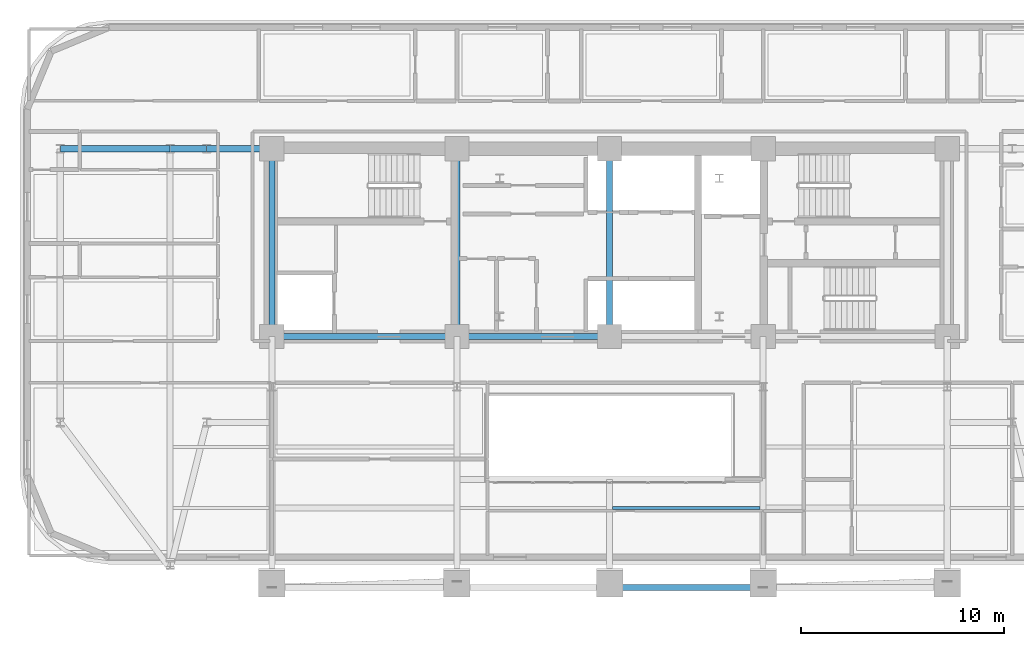
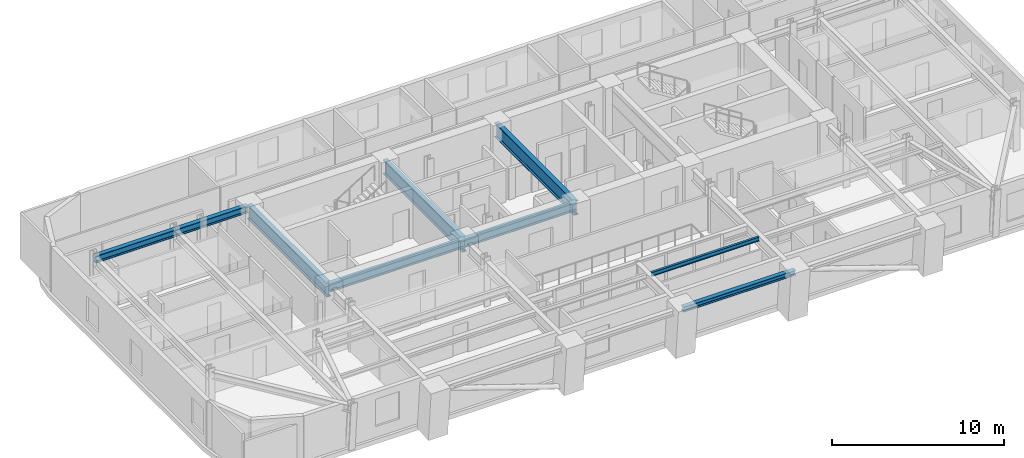
# One storey, part 3 of 15: 10 beams.
"""IFC4 building model written with IfcOpenShell, lengths in metres."""

from ifc_helpers import new_model, si_unit, direction, frame, origin, origin_2d, place, context, subcontext, project, spatial, i_section, extrude, material, material_profile, profile_set, type_object, element, save


model = new_model("IFC4")

# Units and contexts
model_context = context("Model", 3, precision=1e-05, world=origin(), true_north=direction((0.0, 1.0)))
body_context = subcontext(model_context, "Body", "Model", "MODEL_VIEW")
ifc_project = project(units=[si_unit("LENGTHUNIT", "METRE"), si_unit("AREAUNIT", "SQUARE_METRE"), si_unit("VOLUMEUNIT", "CUBIC_METRE"), si_unit("PLANEANGLEUNIT", "RADIAN"), si_unit("MASSUNIT", "GRAM", prefix="KILO")], contexts=[model_context])

# Site, building, storey
site_placement = place(None, origin())
site = spatial("IfcSite", under=ifc_project, at=site_placement, CompositionType="ELEMENT")
building_placement = place(site_placement, origin())
building = spatial("IfcBuilding", under=site, at=building_placement, Name="Zarnavel Station Tower", CompositionType="ELEMENT")
storey_placement = place(building_placement, frame((0.0, 0.0, 115.300048828125)))
storey = spatial("IfcBuildingStorey", under=building, at=storey_placement, Name="L31", CompositionType="ELEMENT", Elevation=115.300048828125)

# Beams
ifc_material_1 = material(Name="Steel S355J2", Category="steel")
ifc_material_profile_1 = material_profile(ifc_material_1, i_section(OverallWidth=0.300048828125, OverallDepth=0.360107421875, WebThickness=0.012451171875, FlangeThickness=0.0224609375, FilletRadius=0.027099609375, at=origin_2d()), Name="HEB360")
ifc_profile_set_1 = profile_set([ifc_material_profile_1], Name="Steel S355J2")
beam_type_1 = type_object("IfcBeamType", Name="EB_HEB360", PredefinedType="SPANDREL", material=ifc_profile_set_1)
beam_1_placement = place(storey_placement, frame((28.800048828125, 15.48583984375, 3.06005859375), z_axis=(1.0, 0.0, 0.0), x_axis=(0.0, 1.0, 0.0)))
element("IfcBeam", 1, at=beam_1_placement, inside=storey, type_object=beam_type_1, Name="L31 South Raked Spandrel 3", PredefinedType="SPANDREL", context=body_context, shape_type="SweptSolid", body=[
    extrude(i_section(OverallWidth=0.300048828125, OverallDepth=0.360107421875, WebThickness=0.012451171875, FlangeThickness=0.0224609375, FilletRadius=0.027099609375, at=origin_2d()), origin(), (0.0, 0.0, 1.0), 7.550048828125),
])
ifc_material_2 = material(Name="Steel S355J2", Category="steel")
ifc_material_profile_2 = material_profile(ifc_material_2, i_section(OverallWidth=0.300048828125, OverallDepth=0.5, WebThickness=0.014404296875, FlangeThickness=0.028076171875, FilletRadius=0.027099609375, at=origin_2d()), Name="HEB500")
ifc_profile_set_2 = profile_set([ifc_material_profile_2], Name="Steel S355J2")
beam_type_2 = type_object("IfcBeamType", Name="FG_HEB500", PredefinedType="USERDEFINED", material=ifc_profile_set_2)
beam_2_placement = place(storey_placement, frame((1.800048828125, 37.050048828125, 2.989990234375), z_axis=(1.0, 0.0, 0.0), x_axis=(0.0, 1.0, 0.0)))
element("IfcBeam", 2, at=beam_2_placement, inside=storey, type_object=beam_type_2, Name="L31 West Wing North Tie 1", ObjectType="GIRDER", PredefinedType="USERDEFINED", context=body_context, shape_type="SweptSolid", body=[
    extrude(i_section(OverallWidth=0.300048828125, OverallDepth=0.5, WebThickness=0.014404296875, FlangeThickness=0.028076171875, FilletRadius=0.027099609375, at=origin_2d()), origin(), (0.0, 0.0, 1.0), 5.39990234375),
])
beam_3_placement = place(storey_placement, frame((7.199951171875, 37.050048828125, 2.989990234375), z_axis=(1.0, 0.0, 0.0), x_axis=(0.0, 1.0, 0.0)))
element("IfcBeam", 3, at=beam_3_placement, inside=storey, type_object=beam_type_2, Name="L31 West Wing North Tie 2", ObjectType="GIRDER", PredefinedType="USERDEFINED", context=body_context, shape_type="SweptSolid", body=[
    extrude(i_section(OverallWidth=0.300048828125, OverallDepth=0.5, WebThickness=0.014404296875, FlangeThickness=0.028076171875, FilletRadius=0.027099609375, at=origin_2d()), origin(), (0.0, 0.0, 1.0), 1.800048828125),
])
beam_4_placement = place(storey_placement, frame((9.0, 37.050048828125, 2.989990234375), z_axis=(1.0, 0.0, 0.0), x_axis=(0.0, 1.0, 0.0)))
element("IfcBeam", 4, at=beam_4_placement, inside=storey, type_object=beam_type_2, Name="L31 West Wing North Tie 3", ObjectType="GIRDER", PredefinedType="USERDEFINED", context=body_context, shape_type="SweptSolid", body=[
    extrude(i_section(OverallWidth=0.300048828125, OverallDepth=0.5, WebThickness=0.014404296875, FlangeThickness=0.028076171875, FilletRadius=0.027099609375, at=origin_2d()), origin(), (0.0, 0.0, 1.0), 3.054931640625),
])
ifc_material_3 = material(Name="Steel S355J2", Category="steel")
ifc_material_profile_3 = material_profile(ifc_material_3, i_section(OverallWidth=0.300048828125, OverallDepth=0.60009765625, WebThickness=0.015380859375, FlangeThickness=0.030029296875, FilletRadius=0.027099609375, at=origin_2d()), Name="HEB600")
ifc_profile_set_3 = profile_set([ifc_material_profile_3], Name="Steel S355J2")
beam_type_3 = type_object("IfcBeamType", Name="FG_HEB600", PredefinedType="USERDEFINED", material=ifc_profile_set_3)
beam_5_placement = place(storey_placement, frame((12.199951171875, 27.820068359375, 2.93994140625), z_axis=(1.0, 0.0, 0.0), x_axis=(0.0, 1.0, 0.0)))
element("IfcBeam", 5, at=beam_5_placement, inside=storey, type_object=beam_type_3, Name="L31 Core Front Coupling Beam 1", ObjectType="GIRDER", PredefinedType="USERDEFINED", context=body_context, shape_type="SweptSolid", body=[
    extrude(i_section(OverallWidth=0.300048828125, OverallDepth=0.60009765625, WebThickness=0.015380859375, FlangeThickness=0.030029296875, FilletRadius=0.027099609375, at=origin_2d()), origin(), (0.0, 0.0, 1.0), 9.10009765625),
])
beam_6_placement = place(storey_placement, frame((21.300048828125, 27.820068359375, 2.93994140625), z_axis=(1.0, 0.0, 0.0), x_axis=(0.0, 1.0, 0.0)))
element("IfcBeam", 6, at=beam_6_placement, inside=storey, type_object=beam_type_3, Name="L31 Core Front Coupling Beam 2", ObjectType="GIRDER", PredefinedType="USERDEFINED", context=body_context, shape_type="SweptSolid", body=[
    extrude(i_section(OverallWidth=0.300048828125, OverallDepth=0.60009765625, WebThickness=0.015380859375, FlangeThickness=0.030029296875, FilletRadius=0.027099609375, at=origin_2d()), origin(), (0.0, 0.0, 1.0), 7.5),
])
ifc_material_4 = material(Name="Steel S355J2", Category="steel")
ifc_material_profile_4 = material_profile(ifc_material_4, i_section(OverallWidth=0.14990234375, OverallDepth=0.300048828125, WebThickness=0.007080078125, FlangeThickness=0.0107421875, FilletRadius=0.014892578125, at=origin_2d()), Name="IPE300")
ifc_profile_set_4 = profile_set([ifc_material_profile_4], Name="Steel S355J2")
beam_type_4 = type_object("IfcBeamType", Name="FJ_IPE300", PredefinedType="JOIST", material=ifc_profile_set_4)
beam_7_placement = place(storey_placement, frame((28.945068359375, 19.390625, 3.08984375), z_axis=(1.0, 0.0, 0.0), x_axis=(0.0, 1.0, 0.0)))
element("IfcBeam", 7, at=beam_7_placement, inside=storey, type_object=beam_type_4, Name="L31 Mid-East Joist 1", PredefinedType="JOIST", context=body_context, shape_type="SweptSolid", body=[
    extrude(i_section(OverallWidth=0.14990234375, OverallDepth=0.300048828125, WebThickness=0.007080078125, FlangeThickness=0.0107421875, FilletRadius=0.014892578125, at=origin_2d()), origin(), (0.0, 0.0, 1.0), 7.260009765625),
])
ifc_material_5 = material(Name="Steel S460M", Category="steel")
ifc_material_profile_5 = material_profile(ifc_material_5, i_section(OverallWidth=0.302001953125, OverallDepth=1.008056640625, WebThickness=0.02099609375, FlangeThickness=0.0400390625, FilletRadius=0.030029296875, at=origin_2d()), Name="HEM1000")
ifc_profile_set_5 = profile_set([ifc_material_profile_5], Name="Steel S460M")
beam_type_5 = type_object("IfcBeamType", Name="TG_HEM1000", PredefinedType="USERDEFINED", material=ifc_profile_set_5)
for number, where, z_axis, x_axis, name in (
    (8, (12.199951171875, 27.820068359375, 2.73583984375), (0.0, 1.0, 0.0), (-1.0, 0.0, 0.0), "L31 Core Spine Coupling Girder 1"),
    (9, (21.300048828125, 27.820068359375, 2.73583984375), (0.0, 1.0, 0.0), (-1.0, 0.0, 0.0), "L31 Core Spine Coupling Girder 2"),
    (10, (28.800048828125, 27.820068359375, 2.73583984375), (0.0, 1.0, 0.0), (-1.0, 0.0, 0.0), "L31 Core Spine Coupling Girder 3"),
):
    element("IfcBeam", number, at=place(storey_placement, frame(where, z_axis=z_axis, x_axis=x_axis)), inside=storey, type_object=beam_type_5, Name=name, ObjectType="GIRDER", PredefinedType="USERDEFINED", context=body_context, shape_type="SweptSolid", body=[
        extrude(i_section(OverallWidth=0.302001953125, OverallDepth=1.008056640625, WebThickness=0.02099609375, FlangeThickness=0.0400390625, FilletRadius=0.030029296875, at=origin_2d()), origin(), (0.0, 0.0, 1.0), 9.22998046875),
    ])

save(model, "model.ifc")
